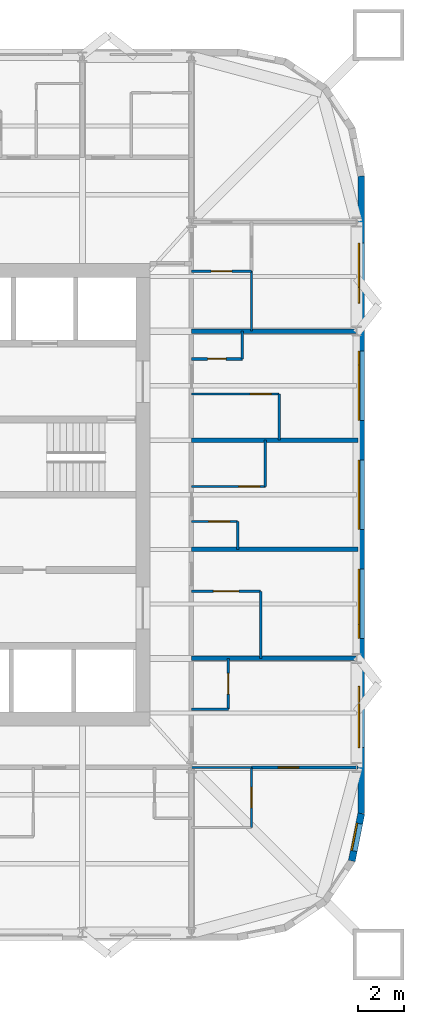
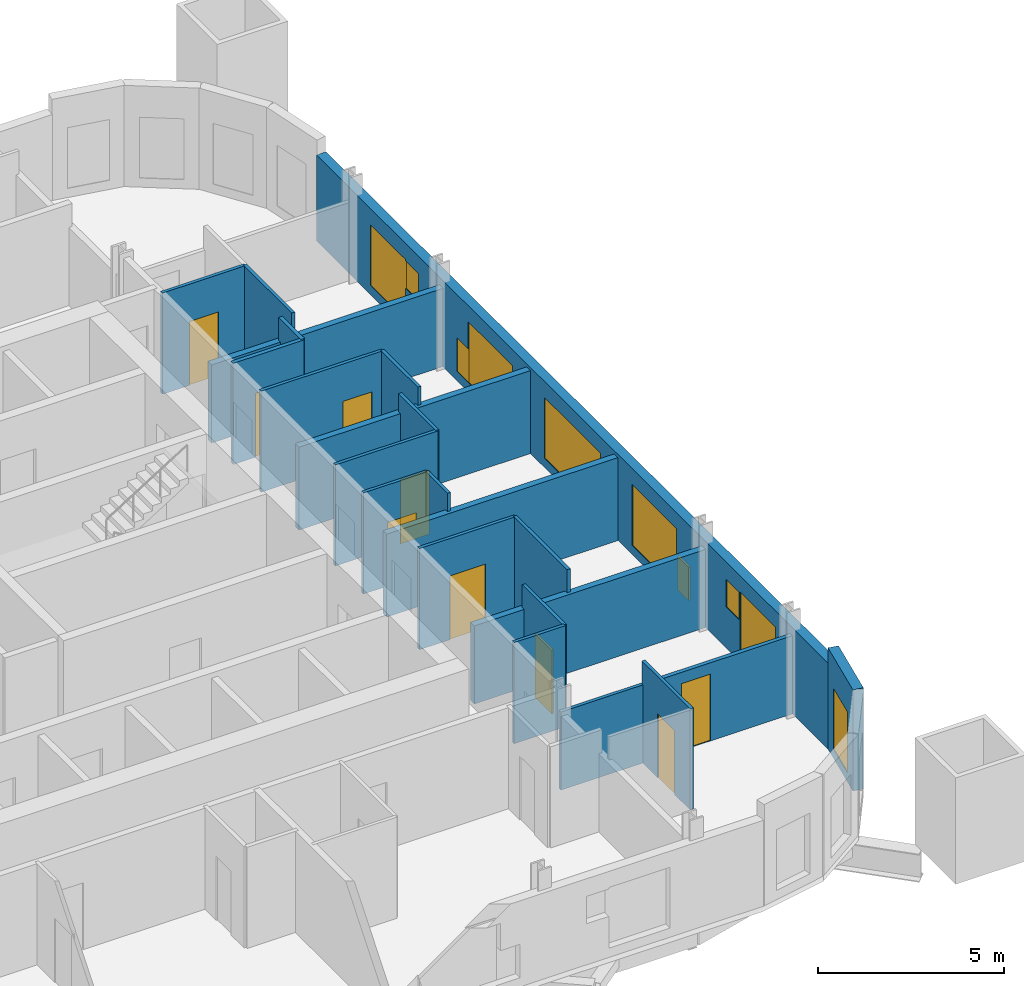
# One storey, part 6 of 10: 23 walls, 10 windows, 9 doors, 19 openings.
"""IFC4 building model written with IfcOpenShell, lengths in metres."""

from ifc_helpers import new_model, si_unit, direction, frame, frame_2d, origin, place, context, subcontext, project, spatial, rectangle, extrude, material, layer, layer_set, type_object, element, fill, save


model = new_model("IFC4")

# Units and contexts
model_context = context("Model", 3, precision=1e-05, world=origin(), true_north=direction((0.0, 1.0)))
body_context = subcontext(model_context, "Body", "Model", "MODEL_VIEW")
ifc_project = project(units=[si_unit("LENGTHUNIT", "METRE"), si_unit("AREAUNIT", "SQUARE_METRE"), si_unit("VOLUMEUNIT", "CUBIC_METRE"), si_unit("PLANEANGLEUNIT", "RADIAN"), si_unit("MASSUNIT", "GRAM", prefix="KILO")], contexts=[model_context])

# Site, building, storey
site_placement = place(None, origin())
site = spatial("IfcSite", under=ifc_project, at=site_placement, CompositionType="ELEMENT")
building_placement = place(site_placement, origin())
building = spatial("IfcBuilding", under=site, at=building_placement, Name="Turquesa Mirador Hotel Tower", CompositionType="ELEMENT")
storey_placement = place(building_placement, frame((0.0, 0.0, 179.300048828125)))
storey = spatial("IfcBuildingStorey", under=building, at=storey_placement, Name="L48", CompositionType="ELEMENT", Elevation=179.300048828125)

# Wall, opening, door
ifc_material_1 = material(Name="Gypsum board on steel studs", Category="steel")
ifc_layer_1 = layer(ifc_material_1, 0.10009765625)
ifc_layer_set_1 = layer_set([ifc_layer_1], Name="BATHROOM WALL 100")
wall_type_1 = type_object("IfcWallType", Name="BATHROOM WALL 100", PredefinedType="PARTITIONING", material=ifc_layer_set_1)
wall_1_placement = place(storey_placement, frame((66.800048828125, 43.840087890625, 0.0), z_axis=(0.0, 0.0, 1.0), x_axis=(1.0, 0.0, 0.0)))
wall_1 = element("IfcWall", 1, at=wall_1_placement, inside=storey, type_object=wall_type_1, Name="Partition L48 002", PredefinedType="PARTITIONING", context=body_context, shape_type="SweptSolid", body=[
    extrude(rectangle(XDim=2.0, YDim=0.10009765625, at=frame_2d((1.0, 0.0))), origin(), (0.0, 0.0, 1.0), 3.329833984375),
])
opening_1_placement = place(wall_1_placement, frame((0.75, 0.0, 0.0)))
opening_1 = element("IfcOpeningElement", 2, at=opening_1_placement, cuts=wall_1, Name="Opening D06", PredefinedType="OPENING", context=body_context, shape_type="SweptSolid", body=[
    extrude(rectangle(XDim=0.89990234375, YDim=2.10009765625, at=frame_2d((0.449951171875, 1.050048828125))), frame((0.0, 0.06005859375, 0.0), z_axis=(0.0, -1.0, 0.0), x_axis=(1.0, 0.0, 0.0)), (0.0, 0.0, 1.0), 0.1201171875),
])
ifc_material_2 = material(Name="Laminate door", Category="wood")
door_type_1 = type_object("IfcDoorType", Name="DOOR 900X2100 WC", OperationType="SINGLE_SWING_LEFT", PredefinedType="DOOR", material=ifc_material_2)
door_1_placement = place(opening_1_placement, origin())
door_1 = element("IfcDoor", 3, at=door_1_placement, inside=storey, type_object=door_type_1, Name="Door 4810W", OperationType="SINGLE_SWING_LEFT", OverallHeight=2.10009765625, OverallWidth=0.89990234375, PredefinedType="DOOR", context=body_context, shape_type="SweptSolid", body=[
    extrude(rectangle(XDim=0.89990234375, YDim=2.10009765625, at=frame_2d((0.449951171875, 1.050048828125))), frame((0.0, 0.02490234375, 0.0), z_axis=(0.0, -1.0, 0.0), x_axis=(1.0, 0.0, 0.0)), (0.0, 0.0, 1.0), 0.050048828125),
])
fill(opening_1, door_1)

# Wall
wall_2_placement = place(storey_placement, frame((66.800048828125, 33.199951171875, 0.0), z_axis=(0.0, 0.0, 1.0), x_axis=(1.0, 0.0, 0.0)))
element("IfcWall", 4, at=wall_2_placement, inside=storey, type_object=wall_type_1, Name="Partition L48 003", PredefinedType="PARTITIONING", context=body_context, shape_type="SweptSolid", body=[
    extrude(rectangle(XDim=2.599853515625, YDim=0.10009765625, at=frame_2d((1.2998046875, 0.0))), origin(), (0.0, 0.0, 1.0), 2.572998046875),
])

# Wall, opening, door
wall_3_placement = place(storey_placement, frame((66.800048828125, 40.820068359375, 0.0), z_axis=(0.0, 0.0, 1.0), x_axis=(1.0, 0.0, 0.0)))
wall_3 = element("IfcWall", 5, at=wall_3_placement, inside=storey, type_object=wall_type_1, Name="Partition L48 016", PredefinedType="PARTITIONING", context=body_context, shape_type="SweptSolid", body=[
    extrude(rectangle(XDim=3.0, YDim=0.10009765625, at=frame_2d((1.5, 0.0))), origin(), (0.0, 0.0, 1.0), 3.329833984375),
])
opening_2_placement = place(wall_3_placement, frame((0.949951171875, 0.0, 0.0)))
opening_2 = element("IfcOpeningElement", 6, at=opening_2_placement, cuts=wall_3, Name="Opening D16", PredefinedType="OPENING", context=body_context, shape_type="SweptSolid", body=[
    extrude(rectangle(XDim=1.10009765625, YDim=2.10009765625, at=frame_2d((0.550048828125, 1.050048828125))), frame((0.0, 0.06005859375, 0.0), z_axis=(0.0, -1.0, 0.0), x_axis=(1.0, 0.0, 0.0)), (0.0, 0.0, 1.0), 0.1201171875),
])
ifc_material_3 = material(Name="Timber veneered sliding door", Category="wood")
door_type_2 = type_object("IfcDoorType", Name="DOOR 1100X2100 ACCESSIBLE EN-SUITE", OperationType="SLIDING_TO_LEFT", PredefinedType="DOOR", material=ifc_material_3)
door_2_placement = place(opening_2_placement, origin())
door_2 = element("IfcDoor", 7, at=door_2_placement, inside=storey, type_object=door_type_2, Name="Door 4809B", OperationType="SLIDING_TO_LEFT", OverallHeight=2.10009765625, OverallWidth=1.10009765625, PredefinedType="DOOR", context=body_context, shape_type="SweptSolid", body=[
    extrude(rectangle(XDim=1.10009765625, YDim=2.10009765625, at=frame_2d((0.550048828125, 1.050048828125))), frame((0.0, 0.02490234375, 0.0), z_axis=(0.0, -1.0, 0.0), x_axis=(1.0, 0.0, 0.0)), (0.0, 0.0, 1.0), 0.050048828125),
])
fill(opening_2, door_2)

# Wall
wall_4_placement = place(storey_placement, frame((66.800048828125, 35.719970703125, 0.0), z_axis=(0.0, 0.0, 1.0), x_axis=(1.0, 0.0, 0.0)))
element("IfcWall", 8, at=wall_4_placement, inside=storey, type_object=wall_type_1, Name="Partition L48 021", PredefinedType="PARTITIONING", context=body_context, shape_type="SweptSolid", body=[
    extrude(rectangle(XDim=1.599853515625, YDim=0.10009765625, at=frame_2d((0.7998046875, 0.0))), origin(), (0.0, 0.0, 1.0), 3.329833984375),
])

# Wall, opening, door
wall_5_placement = place(storey_placement, frame((66.800048828125, 45.360107421875, 0.0), z_axis=(0.0, 0.0, 1.0), x_axis=(1.0, 0.0, 0.0)))
wall_5 = element("IfcWall", 9, at=wall_5_placement, inside=storey, type_object=wall_type_1, Name="Partition L48 023", PredefinedType="PARTITIONING", context=body_context, shape_type="SweptSolid", body=[
    extrude(rectangle(XDim=3.199951171875, YDim=0.10009765625, at=frame_2d((1.60009765625, 0.0))), origin(), (0.0, 0.0, 1.0), 3.329833984375),
])
opening_3_placement = place(wall_5_placement, frame((2.050048828125, 0.0, 0.0)))
opening_3 = element("IfcOpeningElement", 10, at=opening_3_placement, cuts=wall_5, Name="Opening D02", PredefinedType="OPENING", context=body_context, shape_type="SweptSolid", body=[
    extrude(rectangle(XDim=0.89990234375, YDim=2.10009765625, at=frame_2d((0.449951171875, 1.050048828125))), frame((0.0, 0.06005859375, 0.0), z_axis=(0.0, -1.0, 0.0), x_axis=(1.0, 0.0, 0.0)), (0.0, 0.0, 1.0), 0.1201171875),
])
ifc_material_4 = material(Name="Timber veneered door", Category="wood")
door_type_3 = type_object("IfcDoorType", Name="DOOR 900X2100 EN-SUITE", OperationType="SINGLE_SWING_RIGHT", PredefinedType="DOOR", material=ifc_material_4)
door_3_placement = place(opening_3_placement, origin())
door_3 = element("IfcDoor", 11, at=door_3_placement, inside=storey, type_object=door_type_3, Name="Door 4810B", OperationType="SINGLE_SWING_RIGHT", OverallHeight=2.10009765625, OverallWidth=0.89990234375, PredefinedType="DOOR", context=body_context, shape_type="SweptSolid", body=[
    extrude(rectangle(XDim=0.89990234375, YDim=2.10009765625, at=frame_2d((0.449951171875, 1.050048828125))), frame((0.0, 0.02490234375, 0.0), z_axis=(0.0, -1.0, 0.0), x_axis=(1.0, 0.0, 0.0)), (0.0, 0.0, 1.0), 0.050048828125),
])
fill(opening_3, door_3)

wall_6_placement = place(storey_placement, frame((66.800048828125, 49.360107421875, 0.0), z_axis=(0.0, 0.0, 1.0), x_axis=(1.0, 0.0, 0.0)))
wall_6 = element("IfcWall", 12, at=wall_6_placement, inside=storey, type_object=wall_type_1, Name="Partition L48 041", PredefinedType="PARTITIONING", context=body_context, shape_type="SweptSolid", body=[
    extrude(rectangle(XDim=3.800048828125, YDim=0.10009765625, at=frame_2d((1.89990234375, 0.0))), origin(), (0.0, 0.0, 1.0), 3.329833984375),
])
opening_4_placement = place(wall_6_placement, frame((2.550048828125, 0.0, 0.0)))
opening_4 = element("IfcOpeningElement", 13, at=opening_4_placement, cuts=wall_6, Name="Opening D02", PredefinedType="OPENING", context=body_context, shape_type="SweptSolid", body=[
    extrude(rectangle(XDim=0.89990234375, YDim=2.10009765625, at=frame_2d((0.449951171875, 1.050048828125))), frame((0.0, 0.06005859375, 0.0), z_axis=(0.0, -1.0, 0.0), x_axis=(1.0, 0.0, 0.0)), (0.0, 0.0, 1.0), 0.1201171875),
])
door_4_placement = place(opening_4_placement, origin())
door_4 = element("IfcDoor", 14, at=door_4_placement, inside=storey, type_object=door_type_3, Name="Door 4811B", OperationType="SINGLE_SWING_RIGHT", OverallHeight=2.10009765625, OverallWidth=0.89990234375, PredefinedType="DOOR", context=body_context, shape_type="SweptSolid", body=[
    extrude(rectangle(XDim=0.89990234375, YDim=2.10009765625, at=frame_2d((0.449951171875, 1.050048828125))), frame((0.0, 0.02490234375, 0.0), z_axis=(0.0, -1.0, 0.0), x_axis=(1.0, 0.0, 0.0)), (0.0, 0.0, 1.0), 0.050048828125),
])
fill(opening_4, door_4)

wall_7_placement = place(storey_placement, frame((66.800048828125, 54.679931640625, 0.0), z_axis=(0.0, 0.0, 1.0), x_axis=(1.0, 0.0, 0.0)))
wall_7 = element("IfcWall", 15, at=wall_7_placement, inside=storey, type_object=wall_type_1, Name="Partition L48 047", PredefinedType="PARTITIONING", context=body_context, shape_type="SweptSolid", body=[
    extrude(rectangle(XDim=2.599853515625, YDim=0.10009765625, at=frame_2d((1.2998046875, 0.0))), origin(), (0.0, 0.0, 1.0), 3.329833984375),
])
opening_5_placement = place(wall_7_placement, frame((0.85009765625, 0.0, 0.0)))
opening_5 = element("IfcOpeningElement", 16, at=opening_5_placement, cuts=wall_7, Name="Opening D02", PredefinedType="OPENING", context=body_context, shape_type="SweptSolid", body=[
    extrude(rectangle(XDim=0.89990234375, YDim=2.10009765625, at=frame_2d((0.449951171875, 1.050048828125))), frame((0.0, 0.06005859375, 0.0), z_axis=(0.0, -1.0, 0.0), x_axis=(1.0, 0.0, 0.0)), (0.0, 0.0, 1.0), 0.1201171875),
])
door_5_placement = place(opening_5_placement, origin())
door_5 = element("IfcDoor", 17, at=door_5_placement, inside=storey, type_object=door_type_3, Name="Door 4815B", OperationType="SINGLE_SWING_RIGHT", OverallHeight=2.10009765625, OverallWidth=0.89990234375, PredefinedType="DOOR", context=body_context, shape_type="SweptSolid", body=[
    extrude(rectangle(XDim=0.89990234375, YDim=2.10009765625, at=frame_2d((0.449951171875, 1.050048828125))), frame((0.0, 0.02490234375, 0.0), z_axis=(0.0, -1.0, 0.0), x_axis=(1.0, 0.0, 0.0)), (0.0, 0.0, 1.0), 0.050048828125),
])
fill(opening_5, door_5)

wall_8_placement = place(storey_placement, frame((68.39990234375, 35.719970703125, 0.0), z_axis=(0.0, 0.0, 1.0), x_axis=(0.0, 1.0, 0.0)))
wall_8 = element("IfcWall", 18, at=wall_8_placement, inside=storey, type_object=wall_type_1, Name="Partition L48 076", PredefinedType="PARTITIONING", context=body_context, shape_type="SweptSolid", body=[
    extrude(rectangle(XDim=2.199951171875, YDim=0.10009765625, at=frame_2d((1.10009765625, 0.0))), origin(), (0.0, 0.0, 1.0), 3.329833984375),
])
opening_6_placement = place(wall_8_placement, frame((0.64990234375, 0.0, 0.0)))
opening_6 = element("IfcOpeningElement", 19, at=opening_6_placement, cuts=wall_8, Name="Opening D06", PredefinedType="OPENING", context=body_context, shape_type="SweptSolid", body=[
    extrude(rectangle(XDim=0.89990234375, YDim=2.10009765625, at=frame_2d((0.449951171875, 1.050048828125))), frame((0.0, 0.06005859375, 0.0), z_axis=(0.0, -1.0, 0.0), x_axis=(1.0, 0.0, 0.0)), (0.0, 0.0, 1.0), 0.1201171875),
])
door_6_placement = place(opening_6_placement, origin())
door_6 = element("IfcDoor", 20, at=door_6_placement, inside=storey, type_object=door_type_1, Name="Door 4818W", OperationType="SINGLE_SWING_LEFT", OverallHeight=2.10009765625, OverallWidth=0.89990234375, PredefinedType="DOOR", context=body_context, shape_type="SweptSolid", body=[
    extrude(rectangle(XDim=0.89990234375, YDim=2.10009765625, at=frame_2d((0.449951171875, 1.050048828125))), frame((0.0, 0.02490234375, 0.0), z_axis=(0.0, -1.0, 0.0), x_axis=(1.0, 0.0, 0.0)), (0.0, 0.0, 1.0), 0.050048828125),
])
fill(opening_6, door_6)

# Wall
wall_9_placement = place(storey_placement, frame((68.800048828125, 42.639892578125, 0.0), z_axis=(0.0, 0.0, 1.0), x_axis=(0.0, 1.0, 0.0)))
element("IfcWall", 21, at=wall_9_placement, inside=storey, type_object=wall_type_1, Name="Partition L48 077", PredefinedType="PARTITIONING", context=body_context, shape_type="SweptSolid", body=[
    extrude(rectangle(XDim=1.2001953125, YDim=0.10009765625, at=frame_2d((0.60009765625, 0.0))), origin(), (0.0, 0.0, 1.0), 3.329833984375),
])

# Wall, opening, door
wall_10_placement = place(storey_placement, frame((69.39990234375, 30.60009765625, 0.0), z_axis=(0.0, 0.0, 1.0), x_axis=(0.0, 1.0, 0.0)))
wall_10 = element("IfcWall", 22, at=wall_10_placement, inside=storey, type_object=wall_type_1, Name="Partition L48 079", PredefinedType="PARTITIONING", context=body_context, shape_type="SweptSolid", body=[
    extrude(rectangle(XDim=2.599853515625, YDim=0.10009765625, at=frame_2d((1.2998046875, 0.0))), origin(), (0.0, 0.0, 1.0), 3.329833984375),
])
opening_7_placement = place(wall_10_placement, frame((0.85009765625, 0.0, 0.0)))
opening_7 = element("IfcOpeningElement", 23, at=opening_7_placement, cuts=wall_10, Name="Opening D02", PredefinedType="OPENING", context=body_context, shape_type="SweptSolid", body=[
    extrude(rectangle(XDim=0.89990234375, YDim=2.10009765625, at=frame_2d((0.449951171875, 1.050048828125))), frame((0.0, 0.06005859375, 0.0), z_axis=(0.0, -1.0, 0.0), x_axis=(1.0, 0.0, 0.0)), (0.0, 0.0, 1.0), 0.1201171875),
])
door_7_placement = place(opening_7_placement, origin())
door_7 = element("IfcDoor", 24, at=door_7_placement, inside=storey, type_object=door_type_3, Name="Door 4818B", OperationType="SINGLE_SWING_RIGHT", OverallHeight=2.10009765625, OverallWidth=0.89990234375, PredefinedType="DOOR", context=body_context, shape_type="SweptSolid", body=[
    extrude(rectangle(XDim=0.89990234375, YDim=2.10009765625, at=frame_2d((0.449951171875, 1.050048828125))), frame((0.0, 0.02490234375, 0.0), z_axis=(0.0, -1.0, 0.0), x_axis=(1.0, 0.0, 0.0)), (0.0, 0.0, 1.0), 0.050048828125),
])
fill(opening_7, door_7)

# Walls
wall_11_placement = place(storey_placement, frame((69.39990234375, 52.080078125, 0.0), z_axis=(0.0, 0.0, 1.0), x_axis=(0.0, 1.0, 0.0)))
element("IfcWall", 25, at=wall_11_placement, inside=storey, type_object=wall_type_1, Name="Partition L48 080", PredefinedType="PARTITIONING", context=body_context, shape_type="SweptSolid", body=[
    extrude(rectangle(XDim=2.599853515625, YDim=0.10009765625, at=frame_2d((1.2998046875, 0.0))), origin(), (0.0, 0.0, 1.0), 3.329833984375),
])
wall_12_placement = place(storey_placement, frame((69.800048828125, 37.919921875, 0.0), z_axis=(0.0, 0.0, 1.0), x_axis=(0.0, 1.0, 0.0)))
element("IfcWall", 26, at=wall_12_placement, inside=storey, type_object=wall_type_1, Name="Partition L48 082", PredefinedType="PARTITIONING", context=body_context, shape_type="SweptSolid", body=[
    extrude(rectangle(XDim=2.900146484375, YDim=0.10009765625, at=frame_2d((1.4501953125, 0.0))), origin(), (0.0, 0.0, 1.0), 3.329833984375),
])
for number, where, z_axis, x_axis, name in (
    (27, (70.0, 45.360107421875, 0.0), (0.0, 0.0, 1.0), (0.0, 1.0, 0.0), "Partition L48 083"),
    (28, (70.60009765625, 47.360107421875, 0.0), (0.0, 0.0, 1.0), (0.0, 1.0, 0.0), "Partition L48 084"),
):
    element("IfcWall", number, at=place(storey_placement, frame(where, z_axis=z_axis, x_axis=x_axis)), inside=storey, type_object=wall_type_1, Name=name, PredefinedType="PARTITIONING", context=body_context, shape_type="SweptSolid", body=[
        extrude(rectangle(XDim=2.0, YDim=0.10009765625, at=frame_2d((1.0, 0.0))), origin(), (0.0, 0.0, 1.0), 3.329833984375),
    ])

# Wall, opening, window
ifc_material_5 = material(Name="Limestone cladding on concrete block", Category="masonry")
ifc_layer_2 = layer(ifc_material_5, 0.300048828125)
ifc_layer_set_2 = layer_set([ifc_layer_2], Name="FACADE WALL 300 STONE SCREEN")
wall_type_2 = type_object("IfcWallType", Name="FACADE WALL 300 STONE SCREEN", PredefinedType="SOLIDWALL", material=ifc_layer_set_2)
wall_13_placement = place(storey_placement, frame((73.74267578125, 29.152587890625, 0.0), z_axis=(0.0, 0.0, 1.0), x_axis=(0.195081421501, 0.980787050784, 0.0)))
wall_13 = element("IfcWall", 29, at=wall_13_placement, inside=storey, type_object=wall_type_2, Name="Facade wall L48 03", PredefinedType="SOLIDWALL", context=body_context, shape_type="SweptSolid", body=[
    extrude(rectangle(XDim=2.08740234375, YDim=0.300048828125, at=frame_2d((1.043701171875, 0.0))), origin(), (0.0, 0.0, 1.0), 3.329833984375),
])
opening_8_placement = place(wall_13_placement, frame((0.443603515625, 0.0, 0.300048828125)))
opening_8 = element("IfcOpeningElement", 30, at=opening_8_placement, cuts=wall_13, Name="Opening WN4", PredefinedType="OPENING", context=body_context, shape_type="SweptSolid", body=[
    extrude(rectangle(XDim=1.199951171875, YDim=2.0, at=frame_2d((0.60009765625, 1.0))), frame((0.0, 0.159912109375, 0.0), z_axis=(0.0, -1.0, 0.0), x_axis=(1.0, 0.0, 0.0)), (0.0, 0.0, 1.0), 0.320068359375),
])
ifc_material_6 = material(Name="Ceramic-fritted laminated glass", Category="glass")
window_type_1 = type_object("IfcWindowType", Name="FRITTED CORNER WINDOW 1200X2000", PartitioningType="DOUBLE_PANEL_HORIZONTAL", PredefinedType="WINDOW", material=ifc_material_6)
window_1_placement = place(opening_8_placement, origin())
window_1 = element("IfcWindow", 31, at=window_1_placement, inside=storey, type_object=window_type_1, Name="Window L48", OverallHeight=2.0, OverallWidth=1.199951171875, PartitioningType="SINGLE_PANEL", PredefinedType="WINDOW", context=body_context, shape_type="SweptSolid", body=[
    extrude(rectangle(XDim=1.199951171875, YDim=2.0, at=frame_2d((0.60009765625, 1.0))), frame((0.0, 0.130126953125, 0.0), z_axis=(0.0, -1.0, 0.0), x_axis=(1.0, 0.0, 0.0)), (0.0, 0.0, 1.0), 0.06005859375),
])
fill(opening_8, window_1)

# Wall, openings, windows
wall_14_placement = place(storey_placement, frame((74.14990234375, 31.199951171875, 0.0), z_axis=(0.0, 0.0, 1.0), x_axis=(0.0, 1.0, 0.0)))
wall_14 = element("IfcWall", 32, at=wall_14_placement, inside=storey, type_object=wall_type_2, Name="Facade wall L48 04", PredefinedType="SOLIDWALL", context=body_context, shape_type="SweptSolid", body=[
    extrude(rectangle(XDim=27.60009765625, YDim=0.300048828125, at=frame_2d((13.800048828125, 0.0))), origin(), (0.0, 0.0, 1.0), 2.829833984375),
])
opening_9_placement = place(wall_14_placement, frame((2.860107421875, 0.0, 0.300048828125)))
opening_9 = element("IfcOpeningElement", 33, at=opening_9_placement, cuts=wall_14, Name="Opening WN49", PredefinedType="OPENING", context=body_context, shape_type="SweptSolid", body=[
    extrude(rectangle(XDim=1.89990234375, YDim=2.0, at=frame_2d((0.949951171875, 1.0))), frame((0.0, 0.159912109375, 0.0), z_axis=(0.0, -1.0, 0.0), x_axis=(1.0, 0.0, 0.0)), (0.0, 0.0, 1.0), 0.320068359375),
])
opening_10_placement = place(wall_14_placement, frame((8.179931640625, 0.0, 0.300048828125)))
opening_10 = element("IfcOpeningElement", 34, at=opening_10_placement, cuts=wall_14, Name="Opening WN2", PredefinedType="OPENING", context=body_context, shape_type="SweptSolid", body=[
    extrude(rectangle(XDim=2.39990234375, YDim=2.0, at=frame_2d((1.199951171875, 1.0))), frame((0.0, 0.159912109375, 0.0), z_axis=(0.0, -1.0, 0.0), x_axis=(1.0, 0.0, 0.0)), (0.0, 0.0, 1.0), 0.320068359375),
])
opening_11_placement = place(wall_14_placement, frame((12.300048828125, 0.0, 0.300048828125)))
opening_11 = element("IfcOpeningElement", 35, at=opening_11_placement, cuts=wall_14, Name="Opening WN1", PredefinedType="OPENING", context=body_context, shape_type="SweptSolid", body=[
    extrude(rectangle(XDim=3.0, YDim=2.0, at=frame_2d((1.5, 1.0))), frame((0.0, 0.159912109375, 0.0), z_axis=(0.0, -1.0, 0.0), x_axis=(1.0, 0.0, 0.0)), (0.0, 0.0, 1.0), 0.320068359375),
])
opening_12_placement = place(wall_14_placement, frame((17.02001953125, 0.0, 0.300048828125)))
opening_12 = element("IfcOpeningElement", 36, at=opening_12_placement, cuts=wall_14, Name="Opening WN2", PredefinedType="OPENING", context=body_context, shape_type="SweptSolid", body=[
    extrude(rectangle(XDim=2.39990234375, YDim=2.0, at=frame_2d((1.199951171875, 1.0))), frame((0.0, 0.159912109375, 0.0), z_axis=(0.0, -1.0, 0.0), x_axis=(1.0, 0.0, 0.0)), (0.0, 0.0, 1.0), 0.320068359375),
])
opening_13_placement = place(wall_14_placement, frame((22.7900390625, 0.0, 0.300048828125)))
opening_13 = element("IfcOpeningElement", 37, at=opening_13_placement, cuts=wall_14, Name="Opening WN49", PredefinedType="OPENING", context=body_context, shape_type="SweptSolid", body=[
    extrude(rectangle(XDim=1.89990234375, YDim=2.0, at=frame_2d((0.949951171875, 1.0))), frame((0.0, 0.159912109375, 0.0), z_axis=(0.0, -1.0, 0.0), x_axis=(1.0, 0.0, 0.0)), (0.0, 0.0, 1.0), 0.320068359375),
])
opening_14_placement = place(wall_14_placement, frame((4.81005859375, 0.0, 1.35009765625)))
opening_14 = element("IfcOpeningElement", 38, at=opening_14_placement, cuts=wall_14, Name="Opening WN31", PredefinedType="OPENING", context=body_context, shape_type="SweptSolid", body=[
    extrude(rectangle(XDim=0.699951171875, YDim=0.89990234375, at=frame_2d((0.35009765625, 0.449951171875))), frame((0.0, 0.159912109375, 0.0), z_axis=(0.0, -1.0, 0.0), x_axis=(1.0, 0.0, 0.0)), (0.0, 0.0, 1.0), 0.320068359375),
])
opening_15_placement = place(wall_14_placement, frame((7.580078125, 0.0, 0.300048828125)))
opening_15 = element("IfcOpeningElement", 39, at=opening_15_placement, cuts=wall_14, Name="Opening WN30", PredefinedType="OPENING", context=body_context, shape_type="SweptSolid", body=[
    extrude(rectangle(XDim=0.60009765625, YDim=1.10009765625, at=frame_2d((0.300048828125, 0.550048828125))), frame((0.0, 0.159912109375, 0.0), z_axis=(0.0, -1.0, 0.0), x_axis=(1.0, 0.0, 0.0)), (0.0, 0.0, 1.0), 0.320068359375),
])
opening_16_placement = place(wall_14_placement, frame((19.419921875, 0.0, 0.300048828125)))
opening_16 = element("IfcOpeningElement", 40, at=opening_16_placement, cuts=wall_14, Name="Opening WN30", PredefinedType="OPENING", context=body_context, shape_type="SweptSolid", body=[
    extrude(rectangle(XDim=0.60009765625, YDim=1.10009765625, at=frame_2d((0.300048828125, 0.550048828125))), frame((0.0, 0.159912109375, 0.0), z_axis=(0.0, -1.0, 0.0), x_axis=(1.0, 0.0, 0.0)), (0.0, 0.0, 1.0), 0.320068359375),
])
opening_17_placement = place(wall_14_placement, frame((22.090087890625, 0.0, 1.35009765625)))
opening_17 = element("IfcOpeningElement", 41, at=opening_17_placement, cuts=wall_14, Name="Opening WN31", PredefinedType="OPENING", context=body_context, shape_type="SweptSolid", body=[
    extrude(rectangle(XDim=0.699951171875, YDim=0.89990234375, at=frame_2d((0.35009765625, 0.449951171875))), frame((0.0, 0.159912109375, 0.0), z_axis=(0.0, -1.0, 0.0), x_axis=(1.0, 0.0, 0.0)), (0.0, 0.0, 1.0), 0.320068359375),
])
ifc_material_7 = material(Name="Ceramic-fritted laminated glass", Category="glass")
window_type_2 = type_object("IfcWindowType", Name="FRITTED WINDOW 1900X2000", PartitioningType="DOUBLE_PANEL_HORIZONTAL", PredefinedType="WINDOW", material=ifc_material_7)
window_2_placement = place(opening_9_placement, origin())
window_2 = element("IfcWindow", 42, at=window_2_placement, inside=storey, type_object=window_type_2, Name="Window L48", OverallHeight=2.0, OverallWidth=1.89990234375, PartitioningType="SINGLE_PANEL", PredefinedType="WINDOW", context=body_context, shape_type="SweptSolid", body=[
    extrude(rectangle(XDim=1.89990234375, YDim=2.0, at=frame_2d((0.949951171875, 1.0))), frame((0.0, 0.130126953125, 0.0), z_axis=(0.0, -1.0, 0.0), x_axis=(1.0, 0.0, 0.0)), (0.0, 0.0, 1.0), 0.06005859375),
])
fill(opening_9, window_2)
window_3_placement = place(opening_13_placement, origin())
window_3 = element("IfcWindow", 43, at=window_3_placement, inside=storey, type_object=window_type_2, Name="Window L48", OverallHeight=2.0, OverallWidth=1.89990234375, PartitioningType="SINGLE_PANEL", PredefinedType="WINDOW", context=body_context, shape_type="SweptSolid", body=[
    extrude(rectangle(XDim=1.89990234375, YDim=2.0, at=frame_2d((0.949951171875, 1.0))), frame((0.0, 0.130126953125, 0.0), z_axis=(0.0, -1.0, 0.0), x_axis=(1.0, 0.0, 0.0)), (0.0, 0.0, 1.0), 0.06005859375),
])
fill(opening_13, window_3)
ifc_material_8 = material(Name="Ceramic-fritted laminated glass", Category="glass")
window_type_3 = type_object("IfcWindowType", Name="FRITTED WINDOW 2400X2000", PartitioningType="DOUBLE_PANEL_HORIZONTAL", PredefinedType="WINDOW", material=ifc_material_8)
window_4_placement = place(opening_10_placement, origin())
window_4 = element("IfcWindow", 44, at=window_4_placement, inside=storey, type_object=window_type_3, Name="Window L48", OverallHeight=2.0, OverallWidth=2.39990234375, PartitioningType="SINGLE_PANEL", PredefinedType="WINDOW", context=body_context, shape_type="SweptSolid", body=[
    extrude(rectangle(XDim=2.39990234375, YDim=2.0, at=frame_2d((1.199951171875, 1.0))), frame((0.0, 0.130126953125, 0.0), z_axis=(0.0, -1.0, 0.0), x_axis=(1.0, 0.0, 0.0)), (0.0, 0.0, 1.0), 0.06005859375),
])
fill(opening_10, window_4)
window_5_placement = place(opening_12_placement, origin())
window_5 = element("IfcWindow", 45, at=window_5_placement, inside=storey, type_object=window_type_3, Name="Window L48", OverallHeight=2.0, OverallWidth=2.39990234375, PartitioningType="SINGLE_PANEL", PredefinedType="WINDOW", context=body_context, shape_type="SweptSolid", body=[
    extrude(rectangle(XDim=2.39990234375, YDim=2.0, at=frame_2d((1.199951171875, 1.0))), frame((0.0, 0.130126953125, 0.0), z_axis=(0.0, -1.0, 0.0), x_axis=(1.0, 0.0, 0.0)), (0.0, 0.0, 1.0), 0.06005859375),
])
fill(opening_12, window_5)
ifc_material_9 = material(Name="Ceramic-fritted laminated glass", Category="glass")
window_type_4 = type_object("IfcWindowType", Name="FRITTED WINDOW 3000X2000", PartitioningType="DOUBLE_PANEL_HORIZONTAL", PredefinedType="WINDOW", material=ifc_material_9)
window_6_placement = place(opening_11_placement, origin())
window_6 = element("IfcWindow", 46, at=window_6_placement, inside=storey, type_object=window_type_4, Name="Window L48", OverallHeight=2.0, OverallWidth=3.0, PartitioningType="SINGLE_PANEL", PredefinedType="WINDOW", context=body_context, shape_type="SweptSolid", body=[
    extrude(rectangle(XDim=3.0, YDim=2.0, at=frame_2d((1.5, 1.0))), frame((0.0, 0.130126953125, 0.0), z_axis=(0.0, -1.0, 0.0), x_axis=(1.0, 0.0, 0.0)), (0.0, 0.0, 1.0), 0.06005859375),
])
fill(opening_11, window_6)
ifc_material_10 = material(Name="Ceramic-fritted laminated glass", Category="glass")
window_type_5 = type_object("IfcWindowType", Name="FRITTED WINDOW 600X1100", PartitioningType="DOUBLE_PANEL_HORIZONTAL", PredefinedType="WINDOW", material=ifc_material_10)
window_7_placement = place(opening_15_placement, origin())
window_7 = element("IfcWindow", 47, at=window_7_placement, inside=storey, type_object=window_type_5, Name="Window L48", OverallHeight=1.10009765625, OverallWidth=0.60009765625, PartitioningType="SINGLE_PANEL", PredefinedType="WINDOW", context=body_context, shape_type="SweptSolid", body=[
    extrude(rectangle(XDim=0.60009765625, YDim=1.10009765625, at=frame_2d((0.300048828125, 0.550048828125))), frame((0.0, 0.130126953125, 0.0), z_axis=(0.0, -1.0, 0.0), x_axis=(1.0, 0.0, 0.0)), (0.0, 0.0, 1.0), 0.06005859375),
])
fill(opening_15, window_7)
window_8_placement = place(opening_16_placement, origin())
window_8 = element("IfcWindow", 48, at=window_8_placement, inside=storey, type_object=window_type_5, Name="Window L48", OverallHeight=1.10009765625, OverallWidth=0.60009765625, PartitioningType="SINGLE_PANEL", PredefinedType="WINDOW", context=body_context, shape_type="SweptSolid", body=[
    extrude(rectangle(XDim=0.60009765625, YDim=1.10009765625, at=frame_2d((0.300048828125, 0.550048828125))), frame((0.0, 0.130126953125, 0.0), z_axis=(0.0, -1.0, 0.0), x_axis=(1.0, 0.0, 0.0)), (0.0, 0.0, 1.0), 0.06005859375),
])
fill(opening_16, window_8)
ifc_material_11 = material(Name="Ceramic-fritted laminated glass", Category="glass")
window_type_6 = type_object("IfcWindowType", Name="FRITTED WINDOW 700X900", PartitioningType="DOUBLE_PANEL_HORIZONTAL", PredefinedType="WINDOW", material=ifc_material_11)
window_9_placement = place(opening_14_placement, origin())
window_9 = element("IfcWindow", 49, at=window_9_placement, inside=storey, type_object=window_type_6, Name="Window L48", OverallHeight=0.89990234375, OverallWidth=0.699951171875, PartitioningType="SINGLE_PANEL", PredefinedType="WINDOW", context=body_context, shape_type="SweptSolid", body=[
    extrude(rectangle(XDim=0.699951171875, YDim=0.89990234375, at=frame_2d((0.35009765625, 0.449951171875))), frame((0.0, 0.130126953125, 0.0), z_axis=(0.0, -1.0, 0.0), x_axis=(1.0, 0.0, 0.0)), (0.0, 0.0, 1.0), 0.06005859375),
])
fill(opening_14, window_9)
window_10_placement = place(opening_17_placement, origin())
window_10 = element("IfcWindow", 50, at=window_10_placement, inside=storey, type_object=window_type_6, Name="Window L48", OverallHeight=0.89990234375, OverallWidth=0.699951171875, PartitioningType="SINGLE_PANEL", PredefinedType="WINDOW", context=body_context, shape_type="SweptSolid", body=[
    extrude(rectangle(XDim=0.699951171875, YDim=0.89990234375, at=frame_2d((0.35009765625, 0.449951171875))), frame((0.0, 0.130126953125, 0.0), z_axis=(0.0, -1.0, 0.0), x_axis=(1.0, 0.0, 0.0)), (0.0, 0.0, 1.0), 0.06005859375),
])
fill(opening_17, window_10)

# Walls
ifc_material_12 = material(Name="Fire-rated gypsum board on steel studs", Category="steel")
ifc_layer_3 = layer(ifc_material_12, 0.199951171875)
ifc_layer_set_3 = layer_set([ifc_layer_3], Name="PARTY WALL 200")
wall_type_3 = type_object("IfcWallType", Name="PARTY WALL 200", PredefinedType="PARTITIONING", material=ifc_layer_set_3)
wall_15_placement = place(storey_placement, frame((66.800048828125, 42.639892578125, 0.0), z_axis=(0.0, 0.0, 1.0), x_axis=(1.0, 0.0, 0.0)))
element("IfcWall", 51, at=wall_15_placement, inside=storey, type_object=wall_type_3, Name="Partition L48 015", PredefinedType="PARTITIONING", context=body_context, shape_type="SweptSolid", body=[
    extrude(rectangle(XDim=7.199951171875, YDim=0.199951171875, at=frame_2d((3.60009765625, 0.0))), origin(), (0.0, 0.0, 1.0), 2.73046875),
])
wall_16_placement = place(storey_placement, frame((66.800048828125, 37.919921875, 0.0), z_axis=(0.0, 0.0, 1.0), x_axis=(1.0, 0.0, 0.0)))
element("IfcWall", 52, at=wall_16_placement, inside=storey, type_object=wall_type_3, Name="Partition L48 020", PredefinedType="PARTITIONING", context=body_context, shape_type="SweptSolid", body=[
    extrude(rectangle(XDim=7.199951171875, YDim=0.199951171875, at=frame_2d((3.60009765625, 0.0))), origin(), (0.0, 0.0, 1.0), 2.572998046875),
])
wall_17_placement = place(storey_placement, frame((66.800048828125, 47.360107421875, 0.0), z_axis=(0.0, 0.0, 1.0), x_axis=(1.0, 0.0, 0.0)))
element("IfcWall", 53, at=wall_17_placement, inside=storey, type_object=wall_type_3, Name="Partition L48 040", PredefinedType="PARTITIONING", context=body_context, shape_type="SweptSolid", body=[
    extrude(rectangle(XDim=7.199951171875, YDim=0.199951171875, at=frame_2d((3.60009765625, 0.0))), origin(), (0.0, 0.0, 1.0), 2.73046875),
])
wall_18_placement = place(storey_placement, frame((66.800048828125, 52.080078125, 0.0), z_axis=(0.0, 0.0, 1.0), x_axis=(1.0, 0.0, 0.0)))
element("IfcWall", 54, at=wall_18_placement, inside=storey, type_object=wall_type_3, Name="Partition L48 045", PredefinedType="PARTITIONING", context=body_context, shape_type="SweptSolid", body=[
    extrude(rectangle(XDim=7.199951171875, YDim=0.199951171875, at=frame_2d((3.60009765625, 0.0))), origin(), (0.0, 0.0, 1.0), 2.572998046875),
])

# Wall, opening, door
ifc_material_13 = material(Name="Acoustic gypsum board on steel studs", Category="steel")
ifc_layer_4 = layer(ifc_material_13, 0.125)
ifc_layer_set_4 = layer_set([ifc_layer_4], Name="SUITE PARTITION 125")
wall_type_4 = type_object("IfcWallType", Name="SUITE PARTITION 125", PredefinedType="PARTITIONING", material=ifc_layer_set_4)
wall_19_placement = place(storey_placement, frame((69.39990234375, 33.199951171875, 0.0), z_axis=(0.0, 0.0, 1.0), x_axis=(1.0, 0.0, 0.0)))
wall_19 = element("IfcWall", 55, at=wall_19_placement, inside=storey, type_object=wall_type_4, Name="Partition L48 006", PredefinedType="PARTITIONING", context=body_context, shape_type="SweptSolid", body=[
    extrude(rectangle(XDim=4.60009765625, YDim=0.125, at=frame_2d((2.300048828125, 0.0))), origin(), (0.0, 0.0, 1.0), 2.572998046875),
])
opening_18_placement = place(wall_19_placement, frame((1.14990234375, 0.0, 0.0)))
opening_18 = element("IfcOpeningElement", 56, at=opening_18_placement, cuts=wall_19, Name="Opening D17", PredefinedType="OPENING", context=body_context, shape_type="SweptSolid", body=[
    extrude(rectangle(XDim=0.89990234375, YDim=2.199951171875, at=frame_2d((0.449951171875, 1.10009765625))), frame((0.0, 0.072509765625, 0.0), z_axis=(0.0, -1.0, 0.0), x_axis=(1.0, 0.0, 0.0)), (0.0, 0.0, 1.0), 0.14501953125),
])
ifc_material_14 = material(Name="Timber veneered door", Category="wood")
door_type_4 = type_object("IfcDoorType", Name="DOOR 900X2200 SUITE INTERNAL", OperationType="SINGLE_SWING_LEFT", PredefinedType="DOOR", material=ifc_material_14)
door_8_placement = place(opening_18_placement, origin())
door_8 = element("IfcDoor", 57, at=door_8_placement, inside=storey, type_object=door_type_4, Name="Door 4818R", OperationType="SINGLE_SWING_LEFT", OverallHeight=2.199951171875, OverallWidth=0.89990234375, PredefinedType="DOOR", context=body_context, shape_type="SweptSolid", body=[
    extrude(rectangle(XDim=0.89990234375, YDim=2.199951171875, at=frame_2d((0.449951171875, 1.10009765625))), frame((0.0, 0.02490234375, 0.0), z_axis=(0.0, -1.0, 0.0), x_axis=(1.0, 0.0, 0.0)), (0.0, 0.0, 1.0), 0.050048828125),
])
fill(opening_18, door_8)

wall_20_placement = place(storey_placement, frame((66.800048828125, 50.8798828125, 0.0), z_axis=(0.0, 0.0, 1.0), x_axis=(1.0, 0.0, 0.0)))
wall_20 = element("IfcWall", 58, at=wall_20_placement, inside=storey, type_object=wall_type_4, Name="Partition L48 043", PredefinedType="PARTITIONING", context=body_context, shape_type="SweptSolid", body=[
    extrude(rectangle(XDim=2.199951171875, YDim=0.125, at=frame_2d((1.10009765625, 0.0))), origin(), (0.0, 0.0, 1.0), 3.329833984375),
])
opening_19_placement = place(wall_20_placement, frame((0.699951171875, 0.0, 0.0)))
opening_19 = element("IfcOpeningElement", 59, at=opening_19_placement, cuts=wall_20, Name="Opening D20", PredefinedType="OPENING", context=body_context, shape_type="SweptSolid", body=[
    extrude(rectangle(XDim=0.800048828125, YDim=2.10009765625, at=frame_2d((0.39990234375, 1.050048828125))), frame((0.0, 0.072509765625, 0.0), z_axis=(0.0, -1.0, 0.0), x_axis=(1.0, 0.0, 0.0)), (0.0, 0.0, 1.0), 0.14501953125),
])
ifc_material_15 = material(Name="Timber veneered sliding door", Category="wood")
door_type_5 = type_object("IfcDoorType", Name="DOOR 800X2100 WARDROBE", OperationType="SLIDING_TO_LEFT", PredefinedType="DOOR", material=ifc_material_15)
door_9_placement = place(opening_19_placement, origin())
door_9 = element("IfcDoor", 60, at=door_9_placement, inside=storey, type_object=door_type_5, Name="Door 4811W", OperationType="SLIDING_TO_LEFT", OverallHeight=2.10009765625, OverallWidth=0.800048828125, PredefinedType="DOOR", context=body_context, shape_type="SweptSolid", body=[
    extrude(rectangle(XDim=0.800048828125, YDim=2.10009765625, at=frame_2d((0.39990234375, 1.050048828125))), frame((0.0, 0.02490234375, 0.0), z_axis=(0.0, -1.0, 0.0), x_axis=(1.0, 0.0, 0.0)), (0.0, 0.0, 1.0), 0.050048828125),
])
fill(opening_19, door_9)

# Wall
wall_21_placement = place(storey_placement, frame((69.0, 50.8798828125, 0.0), z_axis=(0.0, 0.0, 1.0), x_axis=(0.0, 1.0, 0.0)))
element("IfcWall", 61, at=wall_21_placement, inside=storey, type_object=wall_type_4, Name="Partition L48 078", PredefinedType="PARTITIONING", context=body_context, shape_type="SweptSolid", body=[
    extrude(rectangle(XDim=1.2001953125, YDim=0.125, at=frame_2d((0.60009765625, 0.0))), origin(), (0.0, 0.0, 1.0), 3.329833984375),
])

save(model, "model.ifc")
